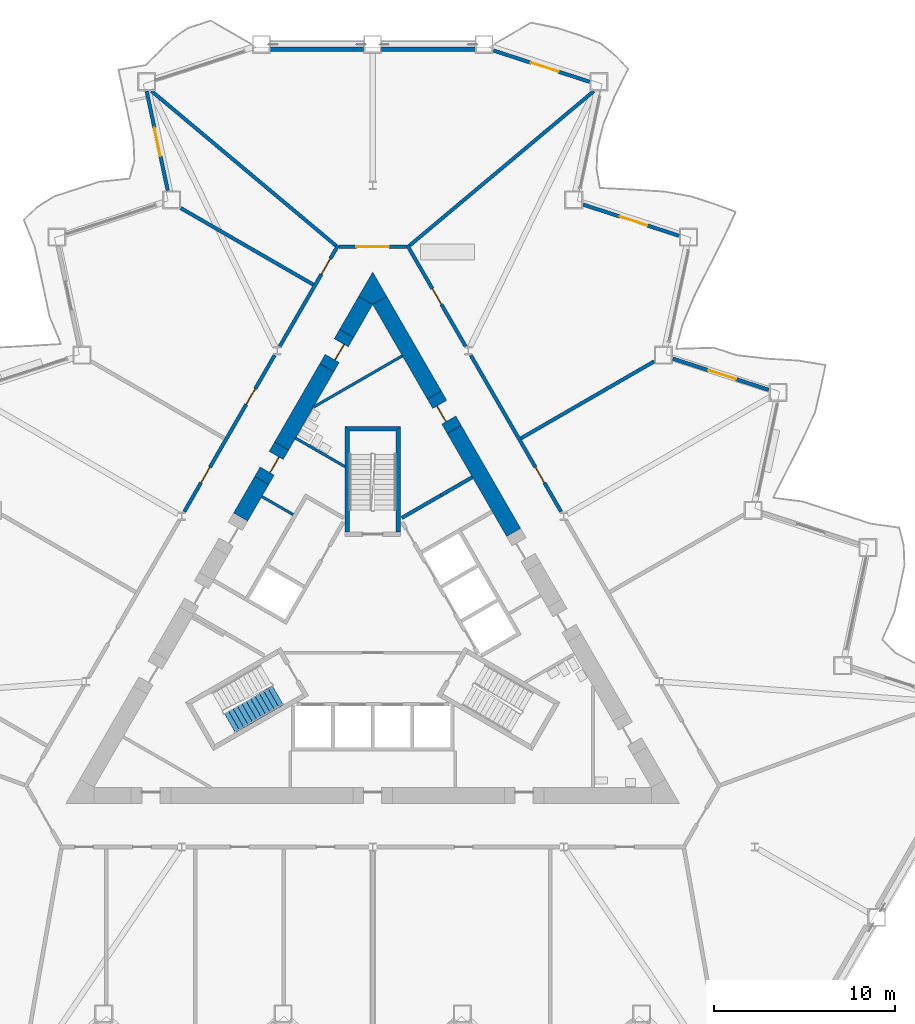
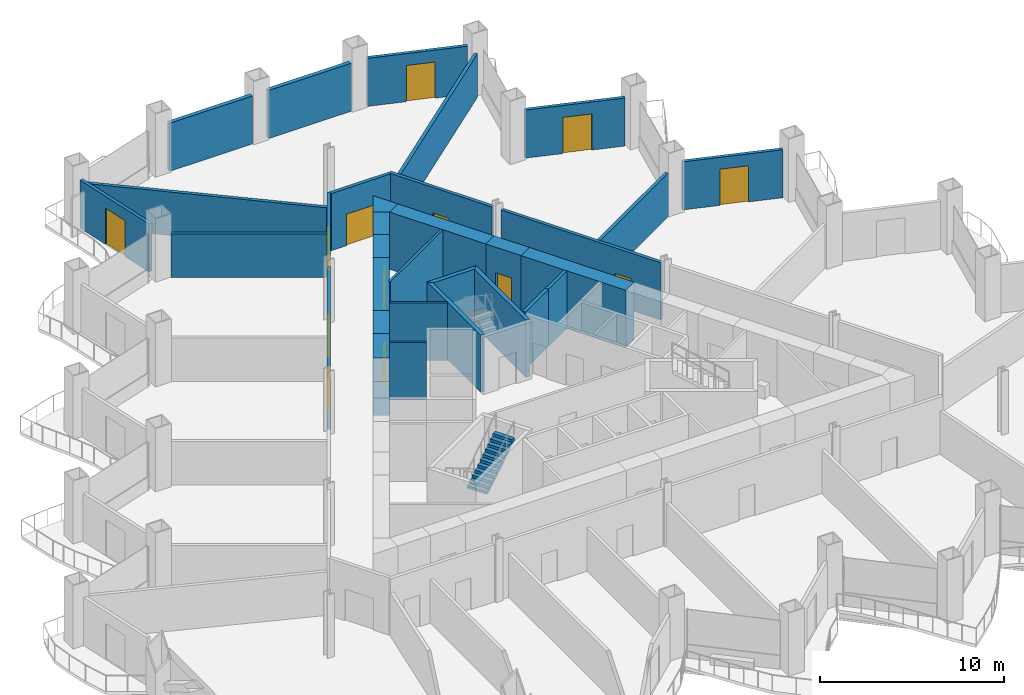
# One storey, part 12 of 21: 32 walls, 13 doors, 1 stair flight, 13 openings, 1 element without a shape of its own.
"""IFC4 building model written with IfcOpenShell, lengths in metres."""

from ifc_helpers import new_model, si_unit, direction, frame, frame_2d, origin, place, context, subcontext, project, spatial, polyline, rectangle, outline, extrude, material, layer, layer_set, type_object, element, fill, aggregate, save


model = new_model("IFC4")

# Units and contexts
model_context = context("Model", 3, precision=1e-05, world=origin(), true_north=direction((0.0, 1.0)))
body_context = subcontext(model_context, "Body", "Model", "MODEL_VIEW")
ifc_project = project(units=[si_unit("LENGTHUNIT", "METRE"), si_unit("AREAUNIT", "SQUARE_METRE"), si_unit("VOLUMEUNIT", "CUBIC_METRE"), si_unit("PLANEANGLEUNIT", "RADIAN"), si_unit("MASSUNIT", "GRAM", prefix="KILO")], contexts=[model_context])

# Site, building, storey
site_placement = place(None, origin())
site = spatial("IfcSite", under=ifc_project, at=site_placement, CompositionType="ELEMENT")
building_placement = place(site_placement, origin())
building = spatial("IfcBuilding", under=site, at=building_placement, Name="Cormorant Prow Tower", CompositionType="ELEMENT")
storey_placement = place(building_placement, frame((0.0, 0.0, 67.800048828125)))
storey = spatial("IfcBuildingStorey", under=building, at=storey_placement, Name="L14", CompositionType="ELEMENT", Elevation=67.800048828125)

# Walls
ifc_material_1 = material(Name="Gypsum board partition")
ifc_layer_1 = layer(ifc_material_1, 0.14990234375)
ifc_layer_set_1 = layer_set([ifc_layer_1], Name="Gypsum board partition")
wall_type_1 = type_object("IfcWallType", Name="Core partition 150", PredefinedType="PARTITIONING", material=ifc_layer_set_1)
wall_1_placement = place(storey_placement, frame((-6.139404296875, 7.196044921875, 0.0), z_axis=(0.0, 0.0, 1.0), x_axis=(0.866035824272, -0.499981950752, 0.0)))
element("IfcWall", 1, at=wall_1_placement, inside=storey, type_object=wall_type_1, Name="Service room partition", PredefinedType="PARTITIONING", context=body_context, shape_type="SweptSolid", body=[
    extrude(rectangle(XDim=2.0087890625, YDim=0.14990234375, at=frame_2d((1.00439453125, 0.0))), origin(), (0.0, 0.0, 1.0), 3.800048828125),
])
wall_2_placement = place(storey_placement, frame((-4.271240234375, 10.431640625, 0.0), z_axis=(0.0, 0.0, 1.0), x_axis=(0.866018279777, -0.50001233894, 0.0)))
element("IfcWall", 2, at=wall_2_placement, inside=storey, type_object=wall_type_1, Name="Service room partition", PredefinedType="PARTITIONING", context=body_context, shape_type="SweptSolid", body=[
    extrude(rectangle(XDim=3.1591796875, YDim=0.14990234375, at=frame_2d((1.57958984375, 0.0))), origin(), (0.0, 0.0, 1.0), 3.800048828125),
])
wall_3_placement = place(storey_placement, frame((1.64111328125, 14.9873046875, 0.0), z_axis=(0.0, 0.0, 1.0), x_axis=(-0.86602253128, -0.50000497529, 0.0)))
element("IfcWall", 3, at=wall_3_placement, inside=storey, type_object=wall_type_1, Name="Service room partition", PredefinedType="PARTITIONING", context=body_context, shape_type="SweptSolid", body=[
    extrude(rectangle(XDim=5.68505859375, YDim=0.14990234375, at=frame_2d((2.842529296875, 0.0))), origin(), (0.0, 0.0, 1.0), 3.800048828125),
])
ifc_material_2 = material(Name="Concrete 8000 psi", Category="concrete")
ifc_layer_2 = layer(ifc_material_2, 0.89990234375)
ifc_layer_set_2 = layer_set([ifc_layer_2], Name="Concrete 8000 psi")
wall_type_2 = type_object("IfcWallType", Name="Core shear wall 900", PredefinedType="SHEAR", material=ifc_layer_set_2)
wall_4_placement = place(storey_placement, frame((7.80712890625, 5.20751953125, 0.0), z_axis=(0.0, 0.0, 1.0), x_axis=(-0.499986664161, 0.866033103098, 0.0)))
element("IfcWall", 4, at=wall_4_placement, inside=storey, type_object=wall_type_2, Name="Core wall", PredefinedType="SHEAR", context=body_context, shape_type="SweptSolid", body=[
    extrude(rectangle(XDim=6.585693359375, YDim=0.89990234375, at=frame_2d((3.29296875, 0.0))), origin(), (0.0, 0.0, 1.0), 3.800048828125),
])
wall_5_placement = place(storey_placement, frame((3.414306640625, 12.816162109375, 0.0), z_axis=(0.0, 0.0, 1.0), x_axis=(-0.500006596359, 0.866021595341, 0.0)))
element("IfcWall", 5, at=wall_5_placement, inside=storey, type_object=wall_type_2, Name="Core wall", PredefinedType="SHEAR", context=body_context, shape_type="SweptSolid", body=[
    extrude(rectangle(XDim=6.04931640625, YDim=0.89990234375, at=frame_2d((3.024658203125, 0.0))), origin(), (0.0, 0.0, 1.0), 3.800048828125),
])
wall_6_placement = place(storey_placement, frame((-2.54345703125, 14.32470703125, 0.0), z_axis=(0.0, 0.0, 1.0), x_axis=(-0.500006859004, -0.866021443701, 0.0)))
element("IfcWall", 6, at=wall_6_placement, inside=storey, type_object=wall_type_2, Name="Core wall", PredefinedType="SHEAR", context=body_context, shape_type="SweptSolid", body=[
    extrude(rectangle(XDim=5.00341796875, YDim=0.89990234375, at=frame_2d((2.501708984375, 0.0))), origin(), (0.0, 0.0, 1.0), 3.800048828125),
])
wall_7_placement = place(storey_placement, frame((-6.14501953125, 8.086181640625, 0.0), z_axis=(0.0, 0.0, 1.0), x_axis=(-0.500026924946, -0.866009858102, 0.0)))
element("IfcWall", 7, at=wall_7_placement, inside=storey, type_object=wall_type_2, Name="Core wall", PredefinedType="SHEAR", context=body_context, shape_type="SweptSolid", body=[
    extrude(rectangle(XDim=2.336669921875, YDim=0.89990234375, at=frame_2d((1.16845703125, 0.0))), origin(), (0.0, 0.0, 1.0), 3.800048828125),
])
wall_8_placement = place(storey_placement, frame((-0.3896484375, 18.054931640625, 0.0), z_axis=(0.0, 0.0, 1.0), x_axis=(-0.500026652407, -0.866010015463, 0.0)))
element("IfcWall", 8, at=wall_8_placement, inside=storey, type_object=wall_type_2, Name="Core wall", PredefinedType="SHEAR", context=body_context, shape_type="SweptSolid", body=[
    extrude(rectangle(XDim=2.107421875, YDim=0.89990234375, at=frame_2d((1.0537109375, 0.0))), origin(), (0.0, 0.0, 1.0), 3.800048828125),
])
wall_9_placement = place(storey_placement, origin())
element("IfcWall", 9, at=wall_9_placement, inside=storey, type_object=wall_type_2, Name="Core wall corner", PredefinedType="SHEAR", context=body_context, shape_type="SweptSolid", body=[
    extrude(outline(polyline([(-0.779296875, 18.27978515625), (0.0, 19.6298828125), (0.779296875, 18.27978515625), (0.0, 17.829833984375), (-0.779296875, 18.27978515625)])), origin(), (0.0, 0.0, 1.0), 3.800048828125),
])

# Wall, opening, door
wall_10_placement = place(storey_placement, frame((-5.045166015625, 9.99169921875, 0.0), z_axis=(0.0, 0.0, 1.0), x_axis=(-0.499898558967, -0.866083962871, 0.0)))
wall_10 = element("IfcWall", 10, at=wall_10_placement, inside=storey, type_object=wall_type_2, Name="Core wall door panel", PredefinedType="SHEAR", context=body_context, shape_type="SweptSolid", body=[
    extrude(rectangle(XDim=2.2001953125, YDim=0.89990234375, at=frame_2d((1.10009765625, 0.0))), origin(), (0.0, 0.0, 1.0), 3.800048828125),
])
opening_1_placement = place(wall_10_placement, frame((0.60009765625, 0.0, 0.0)))
opening_1 = element("IfcOpeningElement", 11, at=opening_1_placement, cuts=wall_10, Name="Opening L14-C22", PredefinedType="OPENING", context=body_context, shape_type="SweptSolid", body=[
    extrude(rectangle(XDim=1.0, YDim=2.10009765625, at=frame_2d((0.5, 1.050048828125))), frame((0.0, 0.4599609375, 0.0), z_axis=(0.0, -1.0, 0.0), x_axis=(1.0, 0.0, 0.0)), (0.0, 0.0, 1.0), 0.919921875),
])
ifc_material_3 = material(Name="Painted steel", Category="steel")
door_type_1 = type_object("IfcDoorType", Name="Service door 1000x2100", OperationType="NOTDEFINED", PredefinedType="DOOR", material=ifc_material_3)
door_1_placement = place(opening_1_placement, origin())
door_1 = element("IfcDoor", 12, at=door_1_placement, inside=storey, type_object=door_type_1, Name="Core door, Housekeeping store", OperationType="SINGLE_SWING_LEFT", OverallHeight=2.10009765625, OverallWidth=1.0, PredefinedType="DOOR", context=body_context, shape_type="SweptSolid", body=[
    extrude(rectangle(XDim=1.0, YDim=2.10009765625, at=frame_2d((0.5, 1.050048828125))), frame((0.0, 0.205078125, 0.0), z_axis=(0.0, -1.0, 0.0), x_axis=(1.0, 0.0, 0.0)), (0.0, 0.0, 1.0), 0.050048828125),
])
fill(opening_1, door_1)

wall_11_placement = place(storey_placement, frame((4.514404296875, 10.910888671875, 0.0), z_axis=(0.0, 0.0, 1.0), x_axis=(-0.50002983664, 0.866008176907, 0.0)))
wall_11 = element("IfcWall", 13, at=wall_11_placement, inside=storey, type_object=wall_type_2, Name="Core wall door panel", PredefinedType="SHEAR", context=body_context, shape_type="SweptSolid", body=[
    extrude(rectangle(XDim=2.199951171875, YDim=0.89990234375, at=frame_2d((1.10009765625, 0.0))), origin(), (0.0, 0.0, 1.0), 3.800048828125),
])
opening_2_placement = place(wall_11_placement, frame((0.60009765625, 0.0, 0.0)))
opening_2 = element("IfcOpeningElement", 14, at=opening_2_placement, cuts=wall_11, Name="Opening L14-C23", PredefinedType="OPENING", context=body_context, shape_type="SweptSolid", body=[
    extrude(rectangle(XDim=1.0, YDim=2.10009765625, at=frame_2d((0.5, 1.050048828125))), frame((0.0, 0.4599609375, 0.0), z_axis=(0.0, -1.0, 0.0), x_axis=(1.0, 0.0, 0.0)), (0.0, 0.0, 1.0), 0.919921875),
])
door_2_placement = place(opening_2_placement, origin())
door_2 = element("IfcDoor", 15, at=door_2_placement, inside=storey, type_object=door_type_1, Name="Core door, Toilets (women) L14", OperationType="SINGLE_SWING_LEFT", OverallHeight=2.10009765625, OverallWidth=1.0, PredefinedType="DOOR", context=body_context, shape_type="SweptSolid", body=[
    extrude(rectangle(XDim=1.0, YDim=2.10009765625, at=frame_2d((0.5, 1.050048828125))), frame((0.0, 0.205078125, 0.0), z_axis=(0.0, -1.0, 0.0), x_axis=(1.0, 0.0, 0.0)), (0.0, 0.0, 1.0), 0.050048828125),
])
fill(opening_2, door_2)

wall_12_placement = place(storey_placement, frame((-1.443359375, 16.22998046875, 0.0), z_axis=(0.0, 0.0, 1.0), x_axis=(-0.50002983664, -0.866008176907, 0.0)))
wall_12 = element("IfcWall", 16, at=wall_12_placement, inside=storey, type_object=wall_type_2, Name="Core wall door panel", PredefinedType="SHEAR", context=body_context, shape_type="SweptSolid", body=[
    extrude(rectangle(XDim=2.199951171875, YDim=0.89990234375, at=frame_2d((1.10009765625, 0.0))), origin(), (0.0, 0.0, 1.0), 3.800048828125),
])
opening_3_placement = place(wall_12_placement, frame((0.60009765625, 0.0, 0.0)))
opening_3 = element("IfcOpeningElement", 17, at=opening_3_placement, cuts=wall_12, Name="Opening L14-C24", PredefinedType="OPENING", context=body_context, shape_type="SweptSolid", body=[
    extrude(rectangle(XDim=1.0, YDim=2.10009765625, at=frame_2d((0.5, 1.050048828125))), frame((0.0, 0.4599609375, 0.0), z_axis=(0.0, -1.0, 0.0), x_axis=(1.0, 0.0, 0.0)), (0.0, 0.0, 1.0), 0.919921875),
])
door_3_placement = place(opening_3_placement, origin())
door_3 = element("IfcDoor", 18, at=door_3_placement, inside=storey, type_object=door_type_1, Name="Core door, Linen store", OperationType="SINGLE_SWING_RIGHT", OverallHeight=2.10009765625, OverallWidth=1.0, PredefinedType="DOOR", context=body_context, shape_type="SweptSolid", body=[
    extrude(rectangle(XDim=1.0, YDim=2.10009765625, at=frame_2d((0.5, 1.050048828125))), frame((0.0, 0.205078125, 0.0), z_axis=(0.0, -1.0, 0.0), x_axis=(1.0, 0.0, 0.0)), (0.0, 0.0, 1.0), 0.050048828125),
])
fill(opening_3, door_3)

# Wall, openings, doors
ifc_material_4 = material(Name="Gypsum board corridor wall")
ifc_layer_3 = layer(ifc_material_4, 0.199951171875)
ifc_layer_set_3 = layer_set([ifc_layer_3], Name="Gypsum board corridor wall")
wall_type_3 = type_object("IfcWallType", Name="Corridor wall 200", PredefinedType="PARTITIONING", material=ifc_layer_set_3)
wall_13_placement = place(storey_placement, frame((-10.438720703125, 6.349853515625, 0.0), z_axis=(0.0, 0.0, 1.0), x_axis=(0.50001002959, 0.86601961312, 0.0)))
wall_13 = element("IfcWall", 19, at=wall_13_placement, inside=storey, type_object=wall_type_3, Name="Corridor wall", PredefinedType="PARTITIONING", context=body_context, shape_type="SweptSolid", body=[
    extrude(rectangle(XDim=10.018798828125, YDim=0.199951171875, at=frame_2d((5.00927734375, 0.0))), origin(), (0.0, 0.0, 1.0), 3.800048828125),
])
opening_4_placement = place(wall_13_placement, frame((6.86474609375, 0.0, 0.0)))
opening_4 = element("IfcOpeningElement", 20, at=opening_4_placement, cuts=wall_13, Name="Opening L14-F13", PredefinedType="OPENING", context=body_context, shape_type="SweptSolid", body=[
    extrude(rectangle(XDim=1.0, YDim=2.10009765625, at=frame_2d((0.5, 1.050048828125))), frame((0.0, 0.10986328125, 0.0), z_axis=(0.0, -1.0, 0.0), x_axis=(1.0, 0.0, 0.0)), (0.0, 0.0, 1.0), 0.219970703125),
])
opening_5_placement = place(wall_13_placement, frame((1.853515625, 0.0, 0.0)))
opening_5 = element("IfcOpeningElement", 21, at=opening_5_placement, cuts=wall_13, Name="Opening L14-F14", PredefinedType="OPENING", context=body_context, shape_type="SweptSolid", body=[
    extrude(rectangle(XDim=1.0, YDim=2.10009765625, at=frame_2d((0.5, 1.050048828125))), frame((0.0, 0.10986328125, 0.0), z_axis=(0.0, -1.0, 0.0), x_axis=(1.0, 0.0, 0.0)), (0.0, 0.0, 1.0), 0.219970703125),
])
ifc_material_5 = material(Name="Timber door leaf", Category="wood")
door_type_2 = type_object("IfcDoorType", Name="Office door 1000x2100", OperationType="NOTDEFINED", PredefinedType="DOOR", material=ifc_material_5)
door_4_placement = place(opening_4_placement, origin())
door_4 = element("IfcDoor", 22, at=door_4_placement, inside=storey, type_object=door_type_2, Name="Tenant suite door", OperationType="SINGLE_SWING_LEFT", OverallHeight=2.10009765625, OverallWidth=1.0, PredefinedType="DOOR", context=body_context, shape_type="SweptSolid", body=[
    extrude(rectangle(XDim=1.0, YDim=2.10009765625, at=frame_2d((0.5, 1.050048828125))), frame((0.0, 0.02490234375, 0.0), z_axis=(0.0, -1.0, 0.0), x_axis=(1.0, 0.0, 0.0)), (0.0, 0.0, 1.0), 0.050048828125),
])
fill(opening_4, door_4)
door_5_placement = place(opening_5_placement, origin())
door_5 = element("IfcDoor", 23, at=door_5_placement, inside=storey, type_object=door_type_2, Name="Tenant suite door", OperationType="SINGLE_SWING_RIGHT", OverallHeight=2.10009765625, OverallWidth=1.0, PredefinedType="DOOR", context=body_context, shape_type="SweptSolid", body=[
    extrude(rectangle(XDim=1.0, YDim=2.10009765625, at=frame_2d((0.5, 1.050048828125))), frame((0.0, 0.02490234375, 0.0), z_axis=(0.0, -1.0, 0.0), x_axis=(1.0, 0.0, 0.0)), (0.0, 0.0, 1.0), 0.050048828125),
])
fill(opening_5, door_5)

# Wall, opening, door
wall_14_placement = place(storey_placement, frame((5.42919921875, 15.0263671875, 0.0), z_axis=(0.0, 0.0, 1.0), x_axis=(0.50001002959, -0.86601961312, 0.0)))
wall_14 = element("IfcWall", 24, at=wall_14_placement, inside=storey, type_object=wall_type_3, Name="Corridor wall", PredefinedType="PARTITIONING", context=body_context, shape_type="SweptSolid", body=[
    extrude(rectangle(XDim=10.018798828125, YDim=0.199951171875, at=frame_2d((5.00927734375, 0.0))), origin(), (0.0, 0.0, 1.0), 3.800048828125),
])
opening_6_placement = place(wall_14_placement, frame((7.165283203125, 0.0, 0.0)))
opening_6 = element("IfcOpeningElement", 25, at=opening_6_placement, cuts=wall_14, Name="Opening L14-F09", PredefinedType="OPENING", context=body_context, shape_type="SweptSolid", body=[
    extrude(rectangle(XDim=1.0, YDim=2.10009765625, at=frame_2d((0.5, 1.050048828125))), frame((0.0, 0.10986328125, 0.0), z_axis=(0.0, -1.0, 0.0), x_axis=(1.0, 0.0, 0.0)), (0.0, 0.0, 1.0), 0.219970703125),
])
door_6_placement = place(opening_6_placement, origin())
door_6 = element("IfcDoor", 26, at=door_6_placement, inside=storey, type_object=door_type_2, Name="Tenant suite door", OperationType="SINGLE_SWING_LEFT", OverallHeight=2.10009765625, OverallWidth=1.0, PredefinedType="DOOR", context=body_context, shape_type="SweptSolid", body=[
    extrude(rectangle(XDim=1.0, YDim=2.10009765625, at=frame_2d((0.5, 1.050048828125))), frame((0.0, 0.02490234375, 0.0), z_axis=(0.0, -1.0, 0.0), x_axis=(1.0, 0.0, 0.0)), (0.0, 0.0, 1.0), 0.050048828125),
])
fill(opening_6, door_6)

wall_15_placement = place(storey_placement, frame((1.9130859375, 21.116455078125, 0.0), z_axis=(0.0, 0.0, 1.0), x_axis=(0.500001069878, -0.866024786089, 0.0)))
wall_15 = element("IfcWall", 27, at=wall_15_placement, inside=storey, type_object=wall_type_3, Name="Corridor wall", PredefinedType="PARTITIONING", context=body_context, shape_type="SweptSolid", body=[
    extrude(rectangle(XDim=6.47265625, YDim=0.199951171875, at=frame_2d((3.236328125, 0.0))), origin(), (0.0, 0.0, 1.0), 3.800048828125),
])
opening_7_placement = place(wall_15_placement, frame((2.787109375, 0.0, 0.0)))
opening_7 = element("IfcOpeningElement", 28, at=opening_7_placement, cuts=wall_15, Name="Opening L14-F10", PredefinedType="OPENING", context=body_context, shape_type="SweptSolid", body=[
    extrude(rectangle(XDim=1.0, YDim=2.10009765625, at=frame_2d((0.5, 1.050048828125))), frame((0.0, 0.10986328125, 0.0), z_axis=(0.0, -1.0, 0.0), x_axis=(1.0, 0.0, 0.0)), (0.0, 0.0, 1.0), 0.219970703125),
])
door_7_placement = place(opening_7_placement, origin())
door_7 = element("IfcDoor", 29, at=door_7_placement, inside=storey, type_object=door_type_2, Name="Tenant reception door", OperationType="SINGLE_SWING_LEFT", OverallHeight=2.10009765625, OverallWidth=1.0, PredefinedType="DOOR", context=body_context, shape_type="SweptSolid", body=[
    extrude(rectangle(XDim=1.0, YDim=2.10009765625, at=frame_2d((0.5, 1.050048828125))), frame((0.0, 0.02490234375, 0.0), z_axis=(0.0, -1.0, 0.0), x_axis=(1.0, 0.0, 0.0)), (0.0, 0.0, 1.0), 0.050048828125),
])
fill(opening_7, door_7)

wall_16_placement = place(storey_placement, frame((-5.1494140625, 15.510986328125, 0.0), z_axis=(0.0, 0.0, 1.0), x_axis=(0.500001069878, 0.866024786089, 0.0)))
wall_16 = element("IfcWall", 30, at=wall_16_placement, inside=storey, type_object=wall_type_3, Name="Corridor wall", PredefinedType="PARTITIONING", context=body_context, shape_type="SweptSolid", body=[
    extrude(rectangle(XDim=6.47265625, YDim=0.199951171875, at=frame_2d((3.236328125, 0.0))), origin(), (0.0, 0.0, 1.0), 3.800048828125),
])
opening_8_placement = place(wall_16_placement, frame((4.61376953125, 0.0, 0.0)))
opening_8 = element("IfcOpeningElement", 31, at=opening_8_placement, cuts=wall_16, Name="Opening L14-F12", PredefinedType="OPENING", context=body_context, shape_type="SweptSolid", body=[
    extrude(rectangle(XDim=1.0, YDim=2.10009765625, at=frame_2d((0.5, 1.050048828125))), frame((0.0, 0.10986328125, 0.0), z_axis=(0.0, -1.0, 0.0), x_axis=(1.0, 0.0, 0.0)), (0.0, 0.0, 1.0), 0.219970703125),
])
door_8_placement = place(opening_8_placement, origin())
door_8 = element("IfcDoor", 32, at=door_8_placement, inside=storey, type_object=door_type_2, Name="Meeting room door", OperationType="SINGLE_SWING_LEFT", OverallHeight=2.10009765625, OverallWidth=1.0, PredefinedType="DOOR", context=body_context, shape_type="SweptSolid", body=[
    extrude(rectangle(XDim=1.0, YDim=2.10009765625, at=frame_2d((0.5, 1.050048828125))), frame((0.0, 0.02490234375, 0.0), z_axis=(0.0, -1.0, 0.0), x_axis=(1.0, 0.0, 0.0)), (0.0, 0.0, 1.0), 0.050048828125),
])
fill(opening_8, door_8)

wall_17_placement = place(storey_placement, frame((-1.863037109375, 21.02978515625, 0.0), z_axis=(0.0, 0.0, 1.0), x_axis=(1.0, 0.0, 0.0)))
wall_17 = element("IfcWall", 33, at=wall_17_placement, inside=storey, type_object=wall_type_3, Name="Corridor wall", PredefinedType="PARTITIONING", context=body_context, shape_type="SweptSolid", body=[
    extrude(rectangle(XDim=3.72607421875, YDim=0.199951171875, at=frame_2d((1.863037109375, 0.0))), origin(), (0.0, 0.0, 1.0), 3.800048828125),
])
opening_9_placement = place(wall_17_placement, frame((0.962890625, 0.0, 0.0)))
opening_9 = element("IfcOpeningElement", 34, at=opening_9_placement, cuts=wall_17, Name="Opening L14-F11", PredefinedType="OPENING", context=body_context, shape_type="SweptSolid", body=[
    extrude(rectangle(XDim=1.800048828125, YDim=2.10009765625, at=frame_2d((0.89990234375, 1.050048828125))), frame((0.0, 0.10986328125, 0.0), z_axis=(0.0, -1.0, 0.0), x_axis=(1.0, 0.0, 0.0)), (0.0, 0.0, 1.0), 0.219970703125),
])
ifc_material_6 = material(Name="Timber door leaf", Category="wood")
door_type_3 = type_object("IfcDoorType", Name="Double door 1800x2100", OperationType="DOUBLE_DOOR_SINGLE_SWING", PredefinedType="DOOR", material=ifc_material_6)
door_9_placement = place(opening_9_placement, origin())
door_9 = element("IfcDoor", 35, at=door_9_placement, inside=storey, type_object=door_type_3, Name="Trading room door", OperationType="DOUBLE_DOOR_SINGLE_SWING", OverallHeight=2.10009765625, OverallWidth=1.800048828125, PredefinedType="DOOR", context=body_context, shape_type="SweptSolid", body=[
    extrude(rectangle(XDim=1.800048828125, YDim=2.10009765625, at=frame_2d((0.89990234375, 1.050048828125))), frame((0.0, 0.02490234375, 0.0), z_axis=(0.0, -1.0, 0.0), x_axis=(1.0, 0.0, 0.0)), (0.0, 0.0, 1.0), 0.050048828125),
])
fill(opening_9, door_9)

# Walls
ifc_material_7 = material(Name="Gypsum board demising wall")
ifc_layer_4 = layer(ifc_material_7, 0.199951171875)
ifc_layer_set_4 = layer_set([ifc_layer_4], Name="Gypsum board demising wall")
wall_type_4 = type_object("IfcWallType", Name="Demising wall 200", PredefinedType="PARTITIONING", material=ifc_layer_set_4)
for number, where, z_axis, x_axis, name in (
    (36, (2.03955078125, 21.093994140625, 0.0), (0.0, 0.0, 1.0), (0.766370381447, 0.642398971388, 0.0), "Demising wall"),
    (37, (-12.257080078125, 29.65869140625, 0.0), (0.0, 0.0, 1.0), (0.766370381447, -0.642398971388, 0.0), "Demising wall"),
):
    element("IfcWall", number, at=place(storey_placement, frame(where, z_axis=z_axis, x_axis=x_axis)), inside=storey, type_object=wall_type_4, Name=name, PredefinedType="PARTITIONING", context=body_context, shape_type="SweptSolid", body=[
        extrude(rectangle(XDim=13.332275390625, YDim=0.199951171875, at=frame_2d((6.666015625, 0.0))), origin(), (0.0, 0.0, 1.0), 2.88525390625),
    ])
wall_18_placement = place(storey_placement, frame((8.20654296875, 10.415771484375, 0.0), z_axis=(0.0, 0.0, 1.0), x_axis=(0.866023490266, 0.500003314297, 0.0)))
element("IfcWall", 38, at=wall_18_placement, inside=storey, type_object=wall_type_4, Name="Demising wall", PredefinedType="PARTITIONING", context=body_context, shape_type="SweptSolid", body=[
    extrude(rectangle(XDim=8.52783203125, YDim=0.199951171875, at=frame_2d((4.263916015625, 0.0))), origin(), (0.0, 0.0, 1.0), 2.88525390625),
])
wall_19_placement = place(storey_placement, frame((-10.625732421875, 23.16796875, 0.0), z_axis=(0.0, 0.0, 1.0), x_axis=(0.866022885879, -0.500004361114, 0.0)))
element("IfcWall", 39, at=wall_19_placement, inside=storey, type_object=wall_type_4, Name="Demising wall", PredefinedType="PARTITIONING", context=body_context, shape_type="SweptSolid", body=[
    extrude(rectangle(XDim=8.47119140625, YDim=0.199951171875, at=frame_2d((4.235595703125, 0.0))), origin(), (0.0, 0.0, 1.0), 2.88525390625),
])
ifc_material_8 = material(Name="Concrete 8000 psi", Category="concrete")
ifc_layer_5 = layer(ifc_material_8, 0.199951171875)
ifc_layer_set_5 = layer_set([ifc_layer_5], Name="Concrete 8000 psi")
wall_type_5 = type_object("IfcWallType", Name="Lift shaft wall 200", PredefinedType="SHEAR", material=ifc_layer_set_5)
wall_20_placement = place(storey_placement, origin())
element("IfcWall", 40, at=wall_20_placement, inside=storey, type_object=wall_type_5, Name="Lift shaft walls, ENE block", PredefinedType="SHEAR", context=body_context, shape_type="SweptSolid", body=[
    extrude(outline(polyline([(1.560546875, 6.09716796875), (3.730712890625, 7.35009765625), (3.830810546875, 7.177001953125), (1.660400390625, 5.923828125), (1.560546875, 6.09716796875)])), origin(), (0.0, 0.0, 1.0), 3.800048828125),
])
wall_21_placement = place(storey_placement, frame((3.78076171875, 7.263427734375, 0.0), z_axis=(0.0, 0.0, 1.0), x_axis=(0.865983199114, 0.50007309351, 0.0)))
element("IfcWall", 41, at=wall_21_placement, inside=storey, type_object=wall_type_5, Name="Store side wall", PredefinedType="SHEAR", context=body_context, shape_type="SweptSolid", body=[
    extrude(rectangle(XDim=2.009033203125, YDim=0.199951171875, at=frame_2d((1.00439453125, 0.0))), origin(), (0.0, 0.0, 1.0), 3.800048828125),
])
ifc_material_9 = material(Name="Concrete 8000 psi", Category="concrete")
ifc_layer_6 = layer(ifc_material_9, 0.25)
ifc_layer_set_6 = layer_set([ifc_layer_6], Name="Concrete 8000 psi")
wall_type_6 = type_object("IfcWallType", Name="Stair wall 250", PredefinedType="SHEAR", material=ifc_layer_set_6)
wall_22_placement = place(storey_placement, origin())
element("IfcWall", 42, at=wall_22_placement, inside=storey, type_object=wall_type_6, Name="Stair ST3 enclosure wall (flank)", PredefinedType="SHEAR", context=body_context, shape_type="SweptSolid", body=[
    extrude(outline(polyline([(1.5439453125, 5.23681640625), (1.5439453125, 11.0869140625), (1.2939453125, 10.8369140625), (1.2939453125, 5.23681640625), (1.5439453125, 5.23681640625)])), origin(), (0.0, 0.0, 1.0), 3.800048828125),
])
wall_23_placement = place(storey_placement, origin())
element("IfcWall", 43, at=wall_23_placement, inside=storey, type_object=wall_type_6, Name="Stair ST3 enclosure wall (end)", PredefinedType="SHEAR", context=body_context, shape_type="SweptSolid", body=[
    extrude(outline(polyline([(1.5439453125, 11.0869140625), (-1.5439453125, 11.0869140625), (-1.2939453125, 10.8369140625), (1.2939453125, 10.8369140625), (1.5439453125, 11.0869140625)])), origin(), (0.0, 0.0, 1.0), 3.800048828125),
])
wall_24_placement = place(storey_placement, origin())
element("IfcWall", 44, at=wall_24_placement, inside=storey, type_object=wall_type_6, Name="Stair ST3 enclosure wall (flank)", PredefinedType="SHEAR", context=body_context, shape_type="SweptSolid", body=[
    extrude(outline(polyline([(-1.2939453125, 10.8369140625), (-1.5439453125, 11.0869140625), (-1.5439453125, 5.23681640625), (-1.2939453125, 5.23681640625), (-1.2939453125, 10.8369140625)])), origin(), (0.0, 0.0, 1.0), 3.800048828125),
])
ifc_material_10 = material(Name="Terracotta", Category="masonry")
ifc_layer_7 = layer(ifc_material_10, 0.25)
ifc_layer_set_7 = layer_set([ifc_layer_7], Name="Terracotta")
wall_type_7 = type_object("IfcWallType", Name="Terracotta bay wall 250", PredefinedType="SOLIDWALL", material=ifc_layer_set_7)
for number, where, z_axis, x_axis, name in (
    (45, (5.7119140625, 31.967041015625, 0.0), (0.0, 0.0, 1.0), (-1.0, 0.0, 0.0), "Terracotta bay wall N00"),
    (46, (-0.5, 31.967041015625, 0.0), (0.0, 0.0, 1.0), (-1.0, 0.0, 0.0), "Terracotta bay wall N01"),
):
    element("IfcWall", number, at=place(storey_placement, frame(where, z_axis=z_axis, x_axis=x_axis)), inside=storey, type_object=wall_type_7, Name=name, PredefinedType="SOLIDWALL", context=body_context, shape_type="SweptSolid", body=[
        extrude(rectangle(XDim=5.2119140625, YDim=0.25, at=frame_2d((2.60595703125, 0.0))), origin(), (0.0, 0.0, 1.0), 3.18896484375),
    ])

# Wall, opening, door
ifc_material_11 = material(Name="Terracotta", Category="masonry")
ifc_layer_8 = layer(ifc_material_11, 0.199951171875)
ifc_layer_set_8 = layer_set([ifc_layer_8], Name="Terracotta")
wall_type_8 = type_object("IfcWallType", Name="Terracotta jamb wall 200", PredefinedType="SOLIDWALL", material=ifc_layer_set_8)
wall_25_placement = place(storey_placement, frame((21.9326171875, 13.107177734375, 0.0), z_axis=(0.0, 0.0, 1.0), x_axis=(-0.951066864375, 0.308985144444, 0.0)))
wall_25 = element("IfcWall", 47, at=wall_25_placement, inside=storey, type_object=wall_type_8, Name="Terracotta jamb wall ENE05", PredefinedType="SOLIDWALL", context=body_context, shape_type="SweptSolid", body=[
    extrude(rectangle(XDim=5.5791015625, YDim=0.199951171875, at=frame_2d((2.78955078125, 0.0))), origin(), (0.0, 0.0, 1.0), 3.18896484375),
])
opening_10_placement = place(wall_25_placement, frame((1.900390625, 0.0, 0.0)))
opening_10 = element("IfcOpeningElement", 48, at=opening_10_placement, cuts=wall_25, Name="Opening ED14.08", PredefinedType="OPENING", context=body_context, shape_type="SweptSolid", body=[
    extrude(rectangle(XDim=1.60009765625, YDim=2.39990234375, at=frame_2d((0.800048828125, 1.199951171875))), frame((0.0, 0.10986328125, 0.0), z_axis=(0.0, -1.0, 0.0), x_axis=(1.0, 0.0, 0.0)), (0.0, 0.0, 1.0), 0.219970703125),
])
ifc_material_12 = material(Name="Aluminium 6063-T6", Category="aluminium")
door_type_4 = type_object("IfcDoorType", Name="Balcony door 1600x2400", OperationType="DOUBLE_DOOR_SINGLE_SWING", PredefinedType="DOOR", material=ifc_material_12)
door_10_placement = place(opening_10_placement, origin())
door_10 = element("IfcDoor", 49, at=door_10_placement, inside=storey, type_object=door_type_4, Name="Balcony door ENE05 ED14.08", OperationType="DOUBLE_DOOR_SINGLE_SWING", OverallHeight=2.39990234375, OverallWidth=1.60009765625, PredefinedType="DOOR", context=body_context, shape_type="SweptSolid", body=[
    extrude(rectangle(XDim=1.60009765625, YDim=2.39990234375, at=frame_2d((0.800048828125, 1.199951171875))), frame((0.0, 0.02490234375, 0.0), z_axis=(0.0, -1.0, 0.0), x_axis=(1.0, 0.0, 0.0)), (0.0, 0.0, 1.0), 0.050048828125),
])
fill(opening_10, door_10)

wall_26_placement = place(storey_placement, frame((16.966552734375, 21.6396484375, 0.0), z_axis=(0.0, 0.0, 1.0), x_axis=(-0.951054004345, 0.309024725255, 0.0)))
wall_26 = element("IfcWall", 50, at=wall_26_placement, inside=storey, type_object=wall_type_8, Name="Terracotta jamb wall ENE07", PredefinedType="SOLIDWALL", context=body_context, shape_type="SweptSolid", body=[
    extrude(rectangle(XDim=5.579345703125, YDim=0.199951171875, at=frame_2d((2.78955078125, 0.0))), origin(), (0.0, 0.0, 1.0), 3.18896484375),
])
opening_11_placement = place(wall_26_placement, frame((1.848876953125, 0.0, 0.0)))
opening_11 = element("IfcOpeningElement", 51, at=opening_11_placement, cuts=wall_26, Name="Opening ED14.09", PredefinedType="OPENING", context=body_context, shape_type="SweptSolid", body=[
    extrude(rectangle(XDim=1.60009765625, YDim=2.39990234375, at=frame_2d((0.800048828125, 1.199951171875))), frame((0.0, 0.10986328125, 0.0), z_axis=(0.0, -1.0, 0.0), x_axis=(1.0, 0.0, 0.0)), (0.0, 0.0, 1.0), 0.219970703125),
])
door_11_placement = place(opening_11_placement, origin())
door_11 = element("IfcDoor", 52, at=door_11_placement, inside=storey, type_object=door_type_4, Name="Balcony door ENE07 ED14.09", OperationType="DOUBLE_DOOR_SINGLE_SWING", OverallHeight=2.39990234375, OverallWidth=1.60009765625, PredefinedType="DOOR", context=body_context, shape_type="SweptSolid", body=[
    extrude(rectangle(XDim=1.60009765625, YDim=2.39990234375, at=frame_2d((0.800048828125, 1.199951171875))), frame((0.0, 0.02490234375, 0.0), z_axis=(0.0, -1.0, 0.0), x_axis=(1.0, 0.0, 0.0)), (0.0, 0.0, 1.0), 0.050048828125),
])
fill(opening_11, door_11)

wall_27_placement = place(storey_placement, frame((12.008056640625, 30.169677734375, 0.0), z_axis=(0.0, 0.0, 1.0), x_axis=(-0.951054939127, 0.309021848358, 0.0)))
wall_27 = element("IfcWall", 53, at=wall_27_placement, inside=storey, type_object=wall_type_8, Name="Terracotta jamb wall ENE09", PredefinedType="SOLIDWALL", context=body_context, shape_type="SweptSolid", body=[
    extrude(rectangle(XDim=5.587158203125, YDim=0.199951171875, at=frame_2d((2.79345703125, 0.0))), origin(), (0.0, 0.0, 1.0), 3.18896484375),
])
opening_12_placement = place(wall_27_placement, frame((1.80517578125, 0.0, 0.0)))
opening_12 = element("IfcOpeningElement", 54, at=opening_12_placement, cuts=wall_27, Name="Opening ED14.10", PredefinedType="OPENING", context=body_context, shape_type="SweptSolid", body=[
    extrude(rectangle(XDim=1.60009765625, YDim=2.39990234375, at=frame_2d((0.800048828125, 1.199951171875))), frame((0.0, 0.10986328125, 0.0), z_axis=(0.0, -1.0, 0.0), x_axis=(1.0, 0.0, 0.0)), (0.0, 0.0, 1.0), 0.219970703125),
])
door_12_placement = place(opening_12_placement, origin())
door_12 = element("IfcDoor", 55, at=door_12_placement, inside=storey, type_object=door_type_4, Name="Balcony door ENE09 ED14.10", OperationType="DOUBLE_DOOR_SINGLE_SWING", OverallHeight=2.39990234375, OverallWidth=1.60009765625, PredefinedType="DOOR", context=body_context, shape_type="SweptSolid", body=[
    extrude(rectangle(XDim=1.60009765625, YDim=2.39990234375, at=frame_2d((0.800048828125, 1.199951171875))), frame((0.0, 0.02490234375, 0.0), z_axis=(0.0, -1.0, 0.0), x_axis=(1.0, 0.0, 0.0)), (0.0, 0.0, 1.0), 0.050048828125),
])
fill(opening_12, door_12)

wall_28_placement = place(storey_placement, frame((-12.521240234375, 29.652099609375, 0.0), z_axis=(0.0, 0.0, 1.0), x_axis=(0.207901831982, -0.978149696242, 0.0)))
wall_28 = element("IfcWall", 56, at=wall_28_placement, inside=storey, type_object=wall_type_8, Name="Terracotta jamb wall WNW01", PredefinedType="SOLIDWALL", context=body_context, shape_type="SweptSolid", body=[
    extrude(rectangle(XDim=5.626220703125, YDim=0.199951171875, at=frame_2d((2.81298828125, 0.0))), origin(), (0.0, 0.0, 1.0), 3.18896484375),
])
opening_13_placement = place(wall_28_placement, frame((2.082763671875, 0.0, 0.0)))
opening_13 = element("IfcOpeningElement", 57, at=opening_13_placement, cuts=wall_28, Name="Opening ED14.11", PredefinedType="OPENING", context=body_context, shape_type="SweptSolid", body=[
    extrude(rectangle(XDim=1.60009765625, YDim=2.39990234375, at=frame_2d((0.800048828125, 1.199951171875))), frame((0.0, 0.10986328125, 0.0), z_axis=(0.0, -1.0, 0.0), x_axis=(1.0, 0.0, 0.0)), (0.0, 0.0, 1.0), 0.219970703125),
])
door_13_placement = place(opening_13_placement, origin())
door_13 = element("IfcDoor", 58, at=door_13_placement, inside=storey, type_object=door_type_4, Name="Balcony door WNW01 ED14.11", OperationType="DOUBLE_DOOR_SINGLE_SWING", OverallHeight=2.39990234375, OverallWidth=1.60009765625, PredefinedType="DOOR", context=body_context, shape_type="SweptSolid", body=[
    extrude(rectangle(XDim=1.60009765625, YDim=2.39990234375, at=frame_2d((0.800048828125, 1.199951171875))), frame((0.0, 0.02490234375, 0.0), z_axis=(0.0, -1.0, 0.0), x_axis=(1.0, 0.0, 0.0)), (0.0, 0.0, 1.0), 0.050048828125),
])
fill(opening_13, door_13)

# Stair, stair flight
ifc_material_13 = material(Name="Exit stair 24 risers")
stair_type = type_object("IfcStairType", Name="Exit stair 24 risers", PredefinedType="HALF_TURN_STAIR", material=ifc_material_13)
stair_placement = place(storey_placement, origin())
stair = element("IfcStair", 59, at=stair_placement, inside=storey, type_object=stair_type, Name="L14 Exit stair ST1", PredefinedType="HALF_TURN_STAIR")
ifc_material_14 = material(Name="Concrete 5000 psi", Category="concrete")
stair_flight_type = type_object("IfcStairFlightType", Name="Stair flight 1219", PredefinedType="STRAIGHT", material=ifc_material_14)
stair_flight_placement = place(storey_placement, frame((-7.916015625, -5.360595703125, 2.099853515625), z_axis=(0.0, 0.0, 1.0), x_axis=(0.866025403784, 0.5, 0.0)))
stair_flight = element("IfcStairFlight", 60, at=stair_flight_placement, type_object=stair_flight_type, Name="ST1 flight 2", NumberOfRisers=12, NumberOfTreads=11, PredefinedType="STRAIGHT", RiserHeight=0.175, TreadLength=0.28, context=body_context, shape_type="SweptSolid", body=[
    extrude(outline(polyline([(0.0, 0.0), (0.0, 0.175048828125), (0.280029296875, 0.175048828125), (0.280029296875, 0.35009765625), (0.56005859375, 0.35009765625), (0.56005859375, 0.52490234375), (0.840087890625, 0.52490234375), (0.840087890625, 0.699951171875), (1.1201171875, 0.699951171875), (1.1201171875, 0.875), (1.39990234375, 0.875), (1.39990234375, 1.050048828125), (1.679931640625, 1.050048828125), (1.679931640625, 1.22509765625), (1.9599609375, 1.22509765625), (1.9599609375, 1.39990234375), (2.239990234375, 1.39990234375), (2.239990234375, 1.574951171875), (2.52001953125, 1.574951171875), (2.52001953125, 1.75), (2.800048828125, 1.75), (2.800048828125, 1.925048828125), (3.080078125, 1.925048828125), (3.080078125, 2.10009765625), (3.080078125, 1.748291015625), (0.28271484375, 0.0), (0.0, 0.0)])), frame((0.0, 0.609375, 0.0), z_axis=(0.0, -1.0, 0.0), x_axis=(1.0, 0.0, 0.0)), (0.0, 0.0, 1.0), 1.218994140625),
])
aggregate(stair, [stair_flight])

save(model, "model.ifc")
